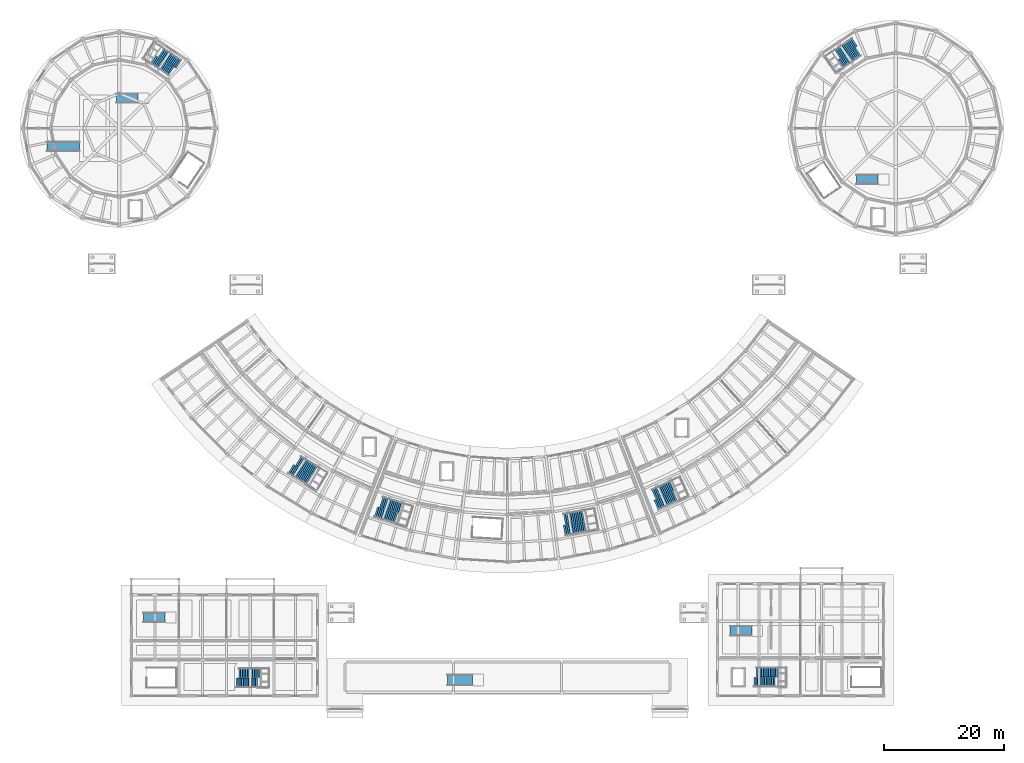
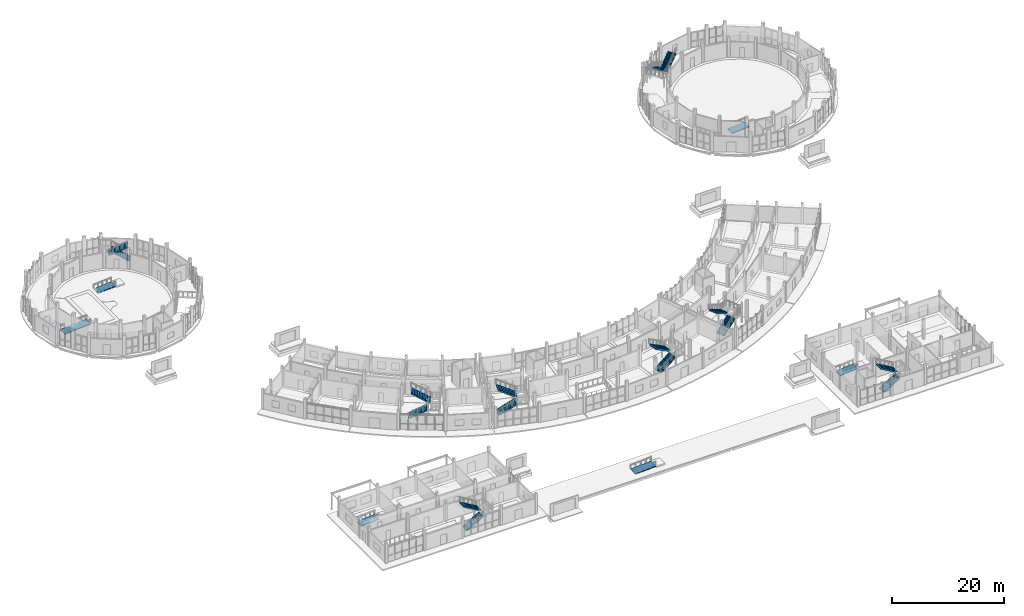
# One storey, part 76 of 92: 16 stair flights, 6 ramp flights, 14 elements without a shape of their own.
"""IFC4 building model written with IfcOpenShell, lengths in metres."""

import ifcopenshell
import ifcopenshell.guid

model = None  # the IFC model being written
_history = None  # IfcOwnerHistory: only IFC2X3 demands one
_inside = {}  # id of a spatial element -> (the spatial element, [elements in it])
_under = {}  # id of a project, library or spatial element -> (it, [spatial elements below it])
_declared = {}  # id of a project -> (the project, [libraries it declares])
_typed = {}  # id of a type object -> (the type object, [elements of that type])
_made_of = {}  # id of a material, layer set ... -> (it, [elements and type objects made of it])


def new_model(schema):
    """Start an empty IFC model of exactly this schema.

    Asked for "IFC4X3", IfcOpenShell would pick the latest addendum, in which some entities
    have other attributes; the version numbers below select the first issue.
    IFC2X3 requires an IfcOwnerHistory on every rooted entity: one is made here for all.
    """
    global model, _history
    if schema == "IFC4X3":
        model = ifcopenshell.file(schema_version=(4, 3, 0, 0))
    else:
        model = ifcopenshell.file(schema=schema)
    _inside.clear()
    _under.clear()
    _declared.clear()
    _typed.clear()
    _made_of.clear()
    _history = None
    if model.schema == "IFC2X3":
        org = make("IfcOrganization", Name="unknown")
        user = make(
            "IfcPersonAndOrganization",
            ThePerson=make("IfcPerson", FamilyName="unknown"),
            TheOrganization=org,
        )
        app = make(
            "IfcApplication",
            ApplicationDeveloper=org,
            Version="unknown",
            ApplicationFullName="unknown",
            ApplicationIdentifier="unknown",
        )
        _history = make(
            "IfcOwnerHistory",
            OwningUser=user,
            OwningApplication=app,
            ChangeAction="ADDED",
            CreationDate=0,
        )
    return model


def make(cls, **values):
    """One entity of the class cls with the attributes given. An attribute that is None is left unset."""
    return model.create_entity(
        cls, **{name: value for name, value in values.items() if value is not None}
    )


def rooted(cls, **values):
    """An entity with a GlobalId (a new one), such as an element, a storey or a relation."""
    return make(cls, GlobalId=ifcopenshell.guid.new(), OwnerHistory=_history, **values)


def si_unit(unit_type, name, prefix=None):
    """IfcSIUnit, for example si_unit("LENGTHUNIT", "METRE", prefix="MILLI")."""
    return make("IfcSIUnit", UnitType=unit_type, Prefix=prefix, Name=name)


def assignment(units):
    """IfcUnitAssignment: the units of a project."""
    return None if units is None else make("IfcUnitAssignment", Units=units)


def point(xyz):
    """IfcCartesianPoint."""
    return None if xyz is None else make("IfcCartesianPoint", Coordinates=xyz)


def direction(xyz):
    """IfcDirection."""
    return None if xyz is None else make("IfcDirection", DirectionRatios=xyz)


def frame(location, z_axis=None, x_axis=None):
    """IfcAxis2Placement3D, a coordinate frame: its origin and axes. An axis left out is left unset."""
    return make(
        "IfcAxis2Placement3D",
        Location=point(location),
        Axis=direction(z_axis),
        RefDirection=direction(x_axis),
    )


def origin():
    """The frame at (0, 0, 0) with its axes left unset."""
    return frame((0.0, 0.0, 0.0))


def place(relative_to, where):
    """IfcLocalPlacement: puts the frame where relative to a parent placement (None: the world)."""
    return make(
        "IfcLocalPlacement", PlacementRelTo=relative_to, RelativePlacement=where
    )


def context(
    kind, dimensions, precision=None, world=None, true_north=None, identifier=None
):
    """IfcGeometricRepresentationContext, for example the 3D "Model" context."""
    return make(
        "IfcGeometricRepresentationContext",
        ContextIdentifier=identifier,
        ContextType=kind,
        CoordinateSpaceDimension=dimensions,
        Precision=precision,
        WorldCoordinateSystem=world,
        TrueNorth=true_north,
    )


def subcontext(parent, identifier, kind, view, scale=None):
    """IfcGeometricRepresentationSubContext, for example "Body" below "Model"."""
    return make(
        "IfcGeometricRepresentationSubContext",
        ContextIdentifier=identifier,
        ContextType=kind,
        ParentContext=parent,
        TargetScale=scale,
        TargetView=view,
    )


def project(units=None, contexts=None):
    """IfcProject with its units and contexts."""
    return rooted(
        "IfcProject",
        Name="project",
        RepresentationContexts=contexts,
        UnitsInContext=assignment(units),
    )


def spatial(cls, under=None, at=None, **own):
    """A site, building, storey or space (cls), placed at a placement, below another one or the project."""
    s = rooted(cls, ObjectPlacement=at, **own)
    if under is not None:
        _under.setdefault(under.id(), (under, []))[1].append(s)
    return s


def polyline(points):
    """IfcPolyline through the points."""
    return make("IfcPolyline", Points=[point(p) for p in points])


def outline(outer, holes=None, kind="AREA"):
    """IfcArbitraryClosedProfileDef: a profile drawn as a closed curve; with holes, ...WithVoids."""
    if holes is None:
        return make("IfcArbitraryClosedProfileDef", ProfileType=kind, OuterCurve=outer)
    return make(
        "IfcArbitraryProfileDefWithVoids",
        ProfileType=kind,
        OuterCurve=outer,
        InnerCurves=holes,
    )


def extrude(swept, where, along, depth):
    """IfcExtrudedAreaSolid: the profile swept, set in the frame where, extruded along a direction by depth."""
    return make(
        "IfcExtrudedAreaSolid",
        SweptArea=swept,
        Position=where,
        ExtrudedDirection=direction(along),
        Depth=depth,
    )


def shape(context_of_items, identifier, shape_type, items):
    """IfcShapeRepresentation: the items that make up one representation, for example the "Body"."""
    return make(
        "IfcShapeRepresentation",
        ContextOfItems=context_of_items,
        RepresentationIdentifier=identifier,
        RepresentationType=shape_type,
        Items=items,
    )


def material(Name=None, Category=None):
    """IfcMaterial."""
    return make("IfcMaterial", Name=Name, Category=Category)


def layer(
    of_material, thickness, ventilated=None, Name=None, Category=None, Priority=None
):
    """IfcMaterialLayer: one layer of a wall or slab, of a material (None: an air gap)."""
    return make(
        "IfcMaterialLayer",
        Material=of_material,
        LayerThickness=thickness,
        IsVentilated=ventilated,
        Name=Name,
        Category=Category,
        Priority=Priority,
    )


def layer_set(layers, Name=None):
    """IfcMaterialLayerSet."""
    return make("IfcMaterialLayerSet", MaterialLayers=layers, LayerSetName=Name)


def made_of(thing, what):
    """Note that an element or type object is made of a material, layer set ...; save() writes the relation."""
    if what is not None:
        _made_of.setdefault(what.id(), (what, []))[1].append(thing)
    return thing


def type_object(cls, material=None, **own):
    """A type object (cls), such as IfcWallType, which elements share."""
    return made_of(rooted(cls, **own), material)


def element(
    cls,
    number,
    at=None,
    inside=None,
    cuts=None,
    type_object=None,
    material=None,
    context=None,
    identifier="Body",
    shape_type=None,
    held_by="IfcProductDefinitionShape",
    body=None,
    shapes=None,
    **own,
):
    """One element of the class cls, such as IfcWall. Its Tag is "e" and its number.

    at: its placement. inside: the storey or other place that contains it. cuts: it is an
    opening in that element (IfcRelVoidsElement). A single representation is given by context,
    identifier, shape_type and body (its items); several are given by shapes. held_by: the class
    of the entity that holds the representations. save() writes the other relations.
    """
    e = rooted(cls, Tag="e%d" % number, ObjectPlacement=at, **own)
    if body is not None:
        shapes = [shape(context, identifier, shape_type, body)]
    if shapes is not None:
        e.Representation = make(held_by, Representations=shapes)
    if inside is not None:
        _inside.setdefault(inside.id(), (inside, []))[1].append(e)
    if cuts is not None:
        rooted(
            "IfcRelVoidsElement", RelatingBuildingElement=cuts, RelatedOpeningElement=e
        )
    if type_object is not None:
        _typed.setdefault(type_object.id(), (type_object, []))[1].append(e)
    return made_of(e, material)


def aggregate(whole, parts):
    """IfcRelAggregates: a whole, such as a stair, and the parts it consists of."""
    return rooted("IfcRelAggregates", RelatingObject=whole, RelatedObjects=parts)


def save(model, path):
    """Write the relations noted so far, then the file.

    IfcRelAggregates (storeys below a building ...), IfcRelContainedInSpatialStructure (elements
    in a storey), IfcRelDefinesByType, IfcRelAssociatesMaterial and IfcRelDeclares: one each for
    every whole, place, type object, material and project.
    """
    for whole, parts in _under.values():
        aggregate(whole, parts)
    for where, things in _inside.values():
        rooted(
            "IfcRelContainedInSpatialStructure",
            RelatedElements=things,
            RelatingStructure=where,
        )
    for kind, things in _typed.values():
        rooted("IfcRelDefinesByType", RelatedObjects=things, RelatingType=kind)
    for what, things in _made_of.values():
        rooted("IfcRelAssociatesMaterial", RelatedObjects=things, RelatingMaterial=what)
    for by, libraries in _declared.values():
        rooted("IfcRelDeclares", RelatingContext=by, RelatedDefinitions=libraries)
    model.write(path)


model = new_model("IFC4")

# Units and contexts
model_context = context("Model", 3, precision=1e-05, world=origin(), true_north=direction((0.0, 1.0)))
body_context = subcontext(model_context, "Body", "Model", "MODEL_VIEW")
ifc_project = project(units=[si_unit("LENGTHUNIT", "METRE"), si_unit("AREAUNIT", "SQUARE_METRE"), si_unit("VOLUMEUNIT", "CUBIC_METRE"), si_unit("PLANEANGLEUNIT", "RADIAN"), si_unit("MASSUNIT", "GRAM", prefix="KILO")], contexts=[model_context])

# Site, building, storey
site_placement = place(None, origin())
site = spatial("IfcSite", under=ifc_project, at=site_placement, CompositionType="ELEMENT")
building_placement = place(site_placement, origin())
building = spatial("IfcBuilding", under=site, at=building_placement, Name="Caldaven Crescent School", CompositionType="ELEMENT")
storey_placement = place(building_placement, origin())
storey = spatial("IfcBuildingStorey", under=building, at=storey_placement, Name="L00", CompositionType="ELEMENT", Elevation=0.0)

# Stair, stair flights
ifc_material_1 = material(Name="Precast concrete C30/37", Category="concrete")
stair_type_1 = type_object("IfcStairType", Name="STR-S3", PredefinedType="TWO_STRAIGHT_RUN_STAIR", material=ifc_material_1)
stair_1_placement = place(storey_placement, origin())
stair_1 = element("IfcStair", 1, at=stair_1_placement, inside=storey, type_object=stair_type_1, Name="STAIR-STV3-L00", PredefinedType="TWO_STRAIGHT_RUN_STAIR")
stair_flight_type_1 = type_object("IfcStairFlightType", Name="STF-F3", PredefinedType="STRAIGHT", material=ifc_material_1)
stair_flight_1_placement = place(storey_placement, frame((128.969970703125, 6.47509765625, 0.0), z_axis=(0.0, 0.0, 1.0), x_axis=(1.0, 0.0, 0.0)))
stair_flight_1 = element("IfcStairFlight", 2, at=stair_flight_1_placement, type_object=stair_flight_type_1, Name="STV3-L00 flight 1", NumberOfRisers=13, NumberOfTreads=12, PredefinedType="STRAIGHT", RiserHeight=0.17, TreadLength=0.29, context=body_context, shape_type="SweptSolid", body=[
    extrude(outline(polyline([(0.0, 0.0), (0.0, 0.169921875), (0.2900390625, 0.169921875), (0.2900390625, 0.340087890625), (0.580078125, 0.340087890625), (0.580078125, 0.510009765625), (0.8701171875, 0.510009765625), (0.8701171875, 0.679931640625), (1.159912109375, 0.679931640625), (1.159912109375, 0.85009765625), (1.449951171875, 0.85009765625), (1.449951171875, 1.02001953125), (1.739990234375, 1.02001953125), (1.739990234375, 1.18994140625), (2.030029296875, 1.18994140625), (2.030029296875, 1.360107421875), (2.320068359375, 1.360107421875), (2.320068359375, 1.530029296875), (2.610107421875, 1.530029296875), (2.610107421875, 1.699951171875), (2.89990234375, 1.699951171875), (2.89990234375, 1.8701171875), (3.18994140625, 1.8701171875), (3.18994140625, 2.0400390625), (3.47998046875, 2.0400390625), (3.47998046875, 2.2099609375), (3.47998046875, 1.7802734375), (0.443115234375, 0.0), (0.0, 0.0)])), frame((0.0, 0.77490234375, 0.0), z_axis=(0.0, -1.0, 0.0), x_axis=(1.0, 0.0, 0.0)), (0.0, 0.0, 1.0), 1.550048828125),
])
stair_flight_2_placement = place(storey_placement, frame((132.830078125, 8.125, 2.2099609375), z_axis=(0.0, 0.0, 1.0), x_axis=(-1.0, 0.0, 0.0)))
stair_flight_2 = element("IfcStairFlight", 3, at=stair_flight_2_placement, type_object=stair_flight_type_1, Name="STV3-L00 flight 2", NumberOfRisers=13, NumberOfTreads=12, PredefinedType="STRAIGHT", RiserHeight=0.17, TreadLength=0.29, context=body_context, shape_type="SweptSolid", body=[
    extrude(outline(polyline([(0.0, 0.0), (0.0, 0.169921875), (0.2900390625, 0.169921875), (0.2900390625, 0.340087890625), (0.580078125, 0.340087890625), (0.580078125, 0.510009765625), (0.8701171875, 0.510009765625), (0.8701171875, 0.679931640625), (1.159912109375, 0.679931640625), (1.159912109375, 0.85009765625), (1.449951171875, 0.85009765625), (1.449951171875, 1.02001953125), (1.739990234375, 1.02001953125), (1.739990234375, 1.18994140625), (2.030029296875, 1.18994140625), (2.030029296875, 1.360107421875), (2.320068359375, 1.360107421875), (2.320068359375, 1.530029296875), (2.610107421875, 1.530029296875), (2.610107421875, 1.699951171875), (2.89990234375, 1.699951171875), (2.89990234375, 1.8701171875), (3.18994140625, 1.8701171875), (3.18994140625, 2.0400390625), (3.47998046875, 2.0400390625), (3.47998046875, 2.2099609375), (3.47998046875, 1.7802734375), (0.443115234375, 0.0), (0.0, 0.0)])), frame((0.0, 0.77490234375, 0.0), z_axis=(0.0, -1.0, 0.0), x_axis=(1.0, 0.0, 0.0)), (0.0, 0.0, 1.0), 1.550048828125),
])
aggregate(stair_1, [stair_flight_1, stair_flight_2])

stair_2_placement = place(storey_placement, origin())
stair_2 = element("IfcStair", 4, at=stair_2_placement, inside=storey, type_object=stair_type_1, Name="STAIR-STV4S-L00", PredefinedType="TWO_STRAIGHT_RUN_STAIR")
stair_flight_3_placement = place(storey_placement, frame((42.969970703125, 6.375, 0.0), z_axis=(0.0, 0.0, 1.0), x_axis=(1.0, 0.0, 0.0)))
stair_flight_3 = element("IfcStairFlight", 5, at=stair_flight_3_placement, type_object=stair_flight_type_1, Name="STV4S-L00 flight 1", NumberOfRisers=13, NumberOfTreads=12, PredefinedType="STRAIGHT", RiserHeight=0.17, TreadLength=0.29, context=body_context, shape_type="SweptSolid", body=[
    extrude(outline(polyline([(0.0, 0.0), (0.0, 0.169921875), (0.2900390625, 0.169921875), (0.2900390625, 0.340087890625), (0.580078125, 0.340087890625), (0.580078125, 0.510009765625), (0.8701171875, 0.510009765625), (0.8701171875, 0.679931640625), (1.159912109375, 0.679931640625), (1.159912109375, 0.85009765625), (1.449951171875, 0.85009765625), (1.449951171875, 1.02001953125), (1.739990234375, 1.02001953125), (1.739990234375, 1.18994140625), (2.030029296875, 1.18994140625), (2.030029296875, 1.360107421875), (2.320068359375, 1.360107421875), (2.320068359375, 1.530029296875), (2.610107421875, 1.530029296875), (2.610107421875, 1.699951171875), (2.89990234375, 1.699951171875), (2.89990234375, 1.8701171875), (3.18994140625, 1.8701171875), (3.18994140625, 2.0400390625), (3.47998046875, 2.0400390625), (3.47998046875, 2.2099609375), (3.47998046875, 1.7802734375), (0.443115234375, 0.0), (0.0, 0.0)])), frame((0.0, 0.77490234375, 0.0), z_axis=(0.0, -1.0, 0.0), x_axis=(1.0, 0.0, 0.0)), (0.0, 0.0, 1.0), 1.550048828125),
])
stair_flight_4_placement = place(storey_placement, frame((46.830078125, 8.02490234375, 2.2099609375), z_axis=(0.0, 0.0, 1.0), x_axis=(-1.0, 0.0, 0.0)))
stair_flight_4 = element("IfcStairFlight", 6, at=stair_flight_4_placement, type_object=stair_flight_type_1, Name="STV4S-L00 flight 2", NumberOfRisers=13, NumberOfTreads=12, PredefinedType="STRAIGHT", RiserHeight=0.17, TreadLength=0.29, context=body_context, shape_type="SweptSolid", body=[
    extrude(outline(polyline([(0.0, 0.0), (0.0, 0.169921875), (0.2900390625, 0.169921875), (0.2900390625, 0.340087890625), (0.580078125, 0.340087890625), (0.580078125, 0.510009765625), (0.8701171875, 0.510009765625), (0.8701171875, 0.679931640625), (1.159912109375, 0.679931640625), (1.159912109375, 0.85009765625), (1.449951171875, 0.85009765625), (1.449951171875, 1.02001953125), (1.739990234375, 1.02001953125), (1.739990234375, 1.18994140625), (2.030029296875, 1.18994140625), (2.030029296875, 1.360107421875), (2.320068359375, 1.360107421875), (2.320068359375, 1.530029296875), (2.610107421875, 1.530029296875), (2.610107421875, 1.699951171875), (2.89990234375, 1.699951171875), (2.89990234375, 1.8701171875), (3.18994140625, 1.8701171875), (3.18994140625, 2.0400390625), (3.47998046875, 2.0400390625), (3.47998046875, 2.2099609375), (3.47998046875, 1.7802734375), (0.443115234375, 0.0), (0.0, 0.0)])), frame((0.0, 0.77490234375, 0.0), z_axis=(0.0, -1.0, 0.0), x_axis=(1.0, 0.0, 0.0)), (0.0, 0.0, 1.0), 1.550048828125),
])
aggregate(stair_2, [stair_flight_3, stair_flight_4])

stair_type_2 = type_object("IfcStairType", Name="STR-S4", PredefinedType="TWO_STRAIGHT_RUN_STAIR", material=ifc_material_1)
stair_3_placement = place(storey_placement, origin())
stair_3 = element("IfcStair", 7, at=stair_3_placement, inside=storey, type_object=stair_type_2, Name="STAIR-STV1-L00", PredefinedType="TWO_STRAIGHT_RUN_STAIR")
stair_flight_type_2 = type_object("IfcStairFlightType", Name="STF-F4", PredefinedType="STRAIGHT", material=ifc_material_1)
stair_flight_5_placement = place(storey_placement, frame((145.67333984375, 112.82080078125, 0.0), z_axis=(0.0, 0.0, 1.0), x_axis=(-0.831469612303, -0.55557023302, 0.0)))
stair_flight_5 = element("IfcStairFlight", 8, at=stair_flight_5_placement, type_object=stair_flight_type_2, Name="STV1-L00 flight 1", NumberOfRisers=13, NumberOfTreads=12, PredefinedType="STRAIGHT", RiserHeight=0.17, TreadLength=0.29, context=body_context, shape_type="SweptSolid", body=[
    extrude(outline(polyline([(0.0, 0.0), (0.0, 0.169921875), (0.2900390625, 0.169921875), (0.2900390625, 0.340087890625), (0.580078125, 0.340087890625), (0.580078125, 0.510009765625), (0.8701171875, 0.510009765625), (0.8701171875, 0.679931640625), (1.159912109375, 0.679931640625), (1.159912109375, 0.85009765625), (1.449951171875, 0.85009765625), (1.449951171875, 1.02001953125), (1.739990234375, 1.02001953125), (1.739990234375, 1.18994140625), (2.030029296875, 1.18994140625), (2.030029296875, 1.360107421875), (2.320068359375, 1.360107421875), (2.320068359375, 1.530029296875), (2.610107421875, 1.530029296875), (2.610107421875, 1.699951171875), (2.89990234375, 1.699951171875), (2.89990234375, 1.8701171875), (3.18994140625, 1.8701171875), (3.18994140625, 2.0400390625), (3.47998046875, 2.0400390625), (3.47998046875, 2.2099609375), (3.47998046875, 1.771240234375), (0.458740234375, 0.0), (0.0, 0.0)])), frame((0.0, 0.800048828125, 0.0), z_axis=(0.0, -1.0, 0.0), x_axis=(1.0, 0.0, 0.0)), (0.0, 0.0, 1.0), 1.60009765625),
])
stair_flight_6_placement = place(storey_placement, frame((143.408203125, 109.2626953125, 2.2099609375), z_axis=(0.0, 0.0, 1.0), x_axis=(0.831469612303, 0.55557023302, 0.0)))
stair_flight_6 = element("IfcStairFlight", 9, at=stair_flight_6_placement, type_object=stair_flight_type_2, Name="STV1-L00 flight 2", NumberOfRisers=13, NumberOfTreads=12, PredefinedType="STRAIGHT", RiserHeight=0.17, TreadLength=0.29, context=body_context, shape_type="SweptSolid", body=[
    extrude(outline(polyline([(0.0, 0.0), (0.0, 0.169921875), (0.2900390625, 0.169921875), (0.2900390625, 0.340087890625), (0.580078125, 0.340087890625), (0.580078125, 0.510009765625), (0.8701171875, 0.510009765625), (0.8701171875, 0.679931640625), (1.159912109375, 0.679931640625), (1.159912109375, 0.85009765625), (1.449951171875, 0.85009765625), (1.449951171875, 1.02001953125), (1.739990234375, 1.02001953125), (1.739990234375, 1.18994140625), (2.030029296875, 1.18994140625), (2.030029296875, 1.360107421875), (2.320068359375, 1.360107421875), (2.320068359375, 1.530029296875), (2.610107421875, 1.530029296875), (2.610107421875, 1.699951171875), (2.89990234375, 1.699951171875), (2.89990234375, 1.8701171875), (3.18994140625, 1.8701171875), (3.18994140625, 2.0400390625), (3.47998046875, 2.0400390625), (3.47998046875, 2.2099609375), (3.47998046875, 1.771240234375), (0.458740234375, 0.0), (0.0, 0.0)])), frame((0.0, 0.800048828125, 0.0), z_axis=(0.0, -1.0, 0.0), x_axis=(1.0, 0.0, 0.0)), (0.0, 0.0, 1.0), 1.60009765625),
])
aggregate(stair_3, [stair_flight_5, stair_flight_6])

stair_4_placement = place(storey_placement, origin())
stair_4 = element("IfcStair", 10, at=stair_4_placement, inside=storey, type_object=stair_type_2, Name="STAIR-STV2-L00", PredefinedType="TWO_STRAIGHT_RUN_STAIR")
stair_flight_7_placement = place(storey_placement, frame((33.3681640625, 109.164794921875, 0.0), z_axis=(0.0, 0.0, 1.0), x_axis=(-0.831469612303, 0.55557023302, 0.0)))
stair_flight_7 = element("IfcStairFlight", 11, at=stair_flight_7_placement, type_object=stair_flight_type_2, Name="STV2-L00 flight 1", NumberOfRisers=13, NumberOfTreads=12, PredefinedType="STRAIGHT", RiserHeight=0.17, TreadLength=0.29, context=body_context, shape_type="SweptSolid", body=[
    extrude(outline(polyline([(0.0, 0.0), (0.0, 0.169921875), (0.2900390625, 0.169921875), (0.2900390625, 0.340087890625), (0.580078125, 0.340087890625), (0.580078125, 0.510009765625), (0.8701171875, 0.510009765625), (0.8701171875, 0.679931640625), (1.159912109375, 0.679931640625), (1.159912109375, 0.85009765625), (1.449951171875, 0.85009765625), (1.449951171875, 1.02001953125), (1.739990234375, 1.02001953125), (1.739990234375, 1.18994140625), (2.030029296875, 1.18994140625), (2.030029296875, 1.360107421875), (2.320068359375, 1.360107421875), (2.320068359375, 1.530029296875), (2.610107421875, 1.530029296875), (2.610107421875, 1.699951171875), (2.89990234375, 1.699951171875), (2.89990234375, 1.8701171875), (3.18994140625, 1.8701171875), (3.18994140625, 2.0400390625), (3.47998046875, 2.0400390625), (3.47998046875, 2.2099609375), (3.47998046875, 1.771240234375), (0.458740234375, 0.0), (0.0, 0.0)])), frame((0.0, 0.800048828125, 0.0), z_axis=(0.0, -1.0, 0.0), x_axis=(1.0, 0.0, 0.0)), (0.0, 0.0, 1.0), 1.60009765625),
])
stair_flight_8_placement = place(storey_placement, frame((29.21435546875, 109.89599609375, 2.2099609375), z_axis=(0.0, 0.0, 1.0), x_axis=(0.831469612303, -0.55557023302, 0.0)))
stair_flight_8 = element("IfcStairFlight", 12, at=stair_flight_8_placement, type_object=stair_flight_type_2, Name="STV2-L00 flight 2", NumberOfRisers=13, NumberOfTreads=12, PredefinedType="STRAIGHT", RiserHeight=0.17, TreadLength=0.29, context=body_context, shape_type="SweptSolid", body=[
    extrude(outline(polyline([(0.0, 0.0), (0.0, 0.169921875), (0.2900390625, 0.169921875), (0.2900390625, 0.340087890625), (0.580078125, 0.340087890625), (0.580078125, 0.510009765625), (0.8701171875, 0.510009765625), (0.8701171875, 0.679931640625), (1.159912109375, 0.679931640625), (1.159912109375, 0.85009765625), (1.449951171875, 0.85009765625), (1.449951171875, 1.02001953125), (1.739990234375, 1.02001953125), (1.739990234375, 1.18994140625), (2.030029296875, 1.18994140625), (2.030029296875, 1.360107421875), (2.320068359375, 1.360107421875), (2.320068359375, 1.530029296875), (2.610107421875, 1.530029296875), (2.610107421875, 1.699951171875), (2.89990234375, 1.699951171875), (2.89990234375, 1.8701171875), (3.18994140625, 1.8701171875), (3.18994140625, 2.0400390625), (3.47998046875, 2.0400390625), (3.47998046875, 2.2099609375), (3.47998046875, 1.771240234375), (0.458740234375, 0.0), (0.0, 0.0)])), frame((0.0, 0.800048828125, 0.0), z_axis=(0.0, -1.0, 0.0), x_axis=(1.0, 0.0, 0.0)), (0.0, 0.0, 1.0), 1.60009765625),
])
aggregate(stair_4, [stair_flight_7, stair_flight_8])

stair_type_3 = type_object("IfcStairType", Name="STR-S5", PredefinedType="TWO_STRAIGHT_RUN_STAIR", material=ifc_material_1)
stair_5_placement = place(storey_placement, origin())
stair_5 = element("IfcStair", 13, at=stair_5_placement, inside=storey, type_object=stair_type_3, Name="STAIR-ST1-L00", PredefinedType="TWO_STRAIGHT_RUN_STAIR")
stair_flight_type_3 = type_object("IfcStairFlightType", Name="STF-F5", PredefinedType="STRAIGHT", material=ifc_material_1)
stair_flight_9_placement = place(storey_placement, frame((51.99365234375, 41.9130859375, 0.0), z_axis=(0.0, 0.0, 1.0), x_axis=(0.852640164354, -0.522498564716, 0.0)))
stair_flight_9 = element("IfcStairFlight", 14, at=stair_flight_9_placement, type_object=stair_flight_type_3, Name="ST1-L00 flight 1", NumberOfRisers=13, NumberOfTreads=12, PredefinedType="STRAIGHT", RiserHeight=0.17, TreadLength=0.29, context=body_context, shape_type="SweptSolid", body=[
    extrude(outline(polyline([(0.0, 0.0), (0.0, 0.169921875), (0.2900390625, 0.169921875), (0.2900390625, 0.340087890625), (0.580078125, 0.340087890625), (0.580078125, 0.510009765625), (0.8701171875, 0.510009765625), (0.8701171875, 0.679931640625), (1.159912109375, 0.679931640625), (1.159912109375, 0.85009765625), (1.449951171875, 0.85009765625), (1.449951171875, 1.02001953125), (1.739990234375, 1.02001953125), (1.739990234375, 1.18994140625), (2.030029296875, 1.18994140625), (2.030029296875, 1.360107421875), (2.320068359375, 1.360107421875), (2.320068359375, 1.530029296875), (2.610107421875, 1.530029296875), (2.610107421875, 1.699951171875), (2.89990234375, 1.699951171875), (2.89990234375, 1.8701171875), (3.18994140625, 1.8701171875), (3.18994140625, 2.0400390625), (3.47998046875, 2.0400390625), (3.47998046875, 2.2099609375), (3.47998046875, 1.76171875), (0.474609375, 0.0), (0.0, 0.0)])), frame((0.0, 0.85986328125, 0.0), z_axis=(0.0, -1.0, 0.0), x_axis=(1.0, 0.0, 0.0)), (0.0, 0.0, 1.0), 1.719970703125),
])
stair_flight_10_placement = place(storey_placement, frame((56.23583984375, 41.447998046875, 2.2099609375), z_axis=(0.0, 0.0, 1.0), x_axis=(-0.852640164354, 0.522498564716, 0.0)))
stair_flight_10 = element("IfcStairFlight", 15, at=stair_flight_10_placement, type_object=stair_flight_type_3, Name="ST1-L00 flight 2", NumberOfRisers=13, NumberOfTreads=12, PredefinedType="STRAIGHT", RiserHeight=0.17, TreadLength=0.29, context=body_context, shape_type="SweptSolid", body=[
    extrude(outline(polyline([(0.0, 0.0), (0.0, 0.169921875), (0.2900390625, 0.169921875), (0.2900390625, 0.340087890625), (0.580078125, 0.340087890625), (0.580078125, 0.510009765625), (0.8701171875, 0.510009765625), (0.8701171875, 0.679931640625), (1.159912109375, 0.679931640625), (1.159912109375, 0.85009765625), (1.449951171875, 0.85009765625), (1.449951171875, 1.02001953125), (1.739990234375, 1.02001953125), (1.739990234375, 1.18994140625), (2.030029296875, 1.18994140625), (2.030029296875, 1.360107421875), (2.320068359375, 1.360107421875), (2.320068359375, 1.530029296875), (2.610107421875, 1.530029296875), (2.610107421875, 1.699951171875), (2.89990234375, 1.699951171875), (2.89990234375, 1.8701171875), (3.18994140625, 1.8701171875), (3.18994140625, 2.0400390625), (3.47998046875, 2.0400390625), (3.47998046875, 2.2099609375), (3.47998046875, 1.76171875), (0.474609375, 0.0), (0.0, 0.0)])), frame((0.0, 0.85986328125, 0.0), z_axis=(0.0, -1.0, 0.0), x_axis=(1.0, 0.0, 0.0)), (0.0, 0.0, 1.0), 1.719970703125),
])
aggregate(stair_5, [stair_flight_9, stair_flight_10])

stair_6_placement = place(storey_placement, origin())
stair_6 = element("IfcStair", 16, at=stair_6_placement, inside=storey, type_object=stair_type_3, Name="STAIR-ST4-L00", PredefinedType="TWO_STRAIGHT_RUN_STAIR")
stair_flight_11_placement = place(storey_placement, frame((112.705810546875, 35.904296875, 0.0), z_axis=(0.0, 0.0, 1.0), x_axis=(0.909961270877, 0.414693242656, 0.0)))
stair_flight_11 = element("IfcStairFlight", 17, at=stair_flight_11_placement, type_object=stair_flight_type_3, Name="ST4-L00 flight 1", NumberOfRisers=13, NumberOfTreads=12, PredefinedType="STRAIGHT", RiserHeight=0.17, TreadLength=0.29, context=body_context, shape_type="SweptSolid", body=[
    extrude(outline(polyline([(0.0, 0.0), (0.0, 0.169921875), (0.2900390625, 0.169921875), (0.2900390625, 0.340087890625), (0.580078125, 0.340087890625), (0.580078125, 0.510009765625), (0.8701171875, 0.510009765625), (0.8701171875, 0.679931640625), (1.159912109375, 0.679931640625), (1.159912109375, 0.85009765625), (1.449951171875, 0.85009765625), (1.449951171875, 1.02001953125), (1.739990234375, 1.02001953125), (1.739990234375, 1.18994140625), (2.030029296875, 1.18994140625), (2.030029296875, 1.360107421875), (2.320068359375, 1.360107421875), (2.320068359375, 1.530029296875), (2.610107421875, 1.530029296875), (2.610107421875, 1.699951171875), (2.89990234375, 1.699951171875), (2.89990234375, 1.8701171875), (3.18994140625, 1.8701171875), (3.18994140625, 2.0400390625), (3.47998046875, 2.0400390625), (3.47998046875, 2.2099609375), (3.47998046875, 1.76171875), (0.474609375, 0.0), (0.0, 0.0)])), frame((0.0, 0.85986328125, 0.0), z_axis=(0.0, -1.0, 0.0), x_axis=(1.0, 0.0, 0.0)), (0.0, 0.0, 1.0), 1.719970703125),
])
stair_flight_12_placement = place(storey_placement, frame((115.46337890625, 39.1611328125, 2.2099609375), z_axis=(0.0, 0.0, 1.0), x_axis=(-0.909961270877, -0.414693242656, 0.0)))
stair_flight_12 = element("IfcStairFlight", 18, at=stair_flight_12_placement, type_object=stair_flight_type_3, Name="ST4-L00 flight 2", NumberOfRisers=13, NumberOfTreads=12, PredefinedType="STRAIGHT", RiserHeight=0.17, TreadLength=0.29, context=body_context, shape_type="SweptSolid", body=[
    extrude(outline(polyline([(0.0, 0.0), (0.0, 0.169921875), (0.2900390625, 0.169921875), (0.2900390625, 0.340087890625), (0.580078125, 0.340087890625), (0.580078125, 0.510009765625), (0.8701171875, 0.510009765625), (0.8701171875, 0.679931640625), (1.159912109375, 0.679931640625), (1.159912109375, 0.85009765625), (1.449951171875, 0.85009765625), (1.449951171875, 1.02001953125), (1.739990234375, 1.02001953125), (1.739990234375, 1.18994140625), (2.030029296875, 1.18994140625), (2.030029296875, 1.360107421875), (2.320068359375, 1.360107421875), (2.320068359375, 1.530029296875), (2.610107421875, 1.530029296875), (2.610107421875, 1.699951171875), (2.89990234375, 1.699951171875), (2.89990234375, 1.8701171875), (3.18994140625, 1.8701171875), (3.18994140625, 2.0400390625), (3.47998046875, 2.0400390625), (3.47998046875, 2.2099609375), (3.47998046875, 1.76171875), (0.474609375, 0.0), (0.0, 0.0)])), frame((0.0, 0.85986328125, 0.0), z_axis=(0.0, -1.0, 0.0), x_axis=(1.0, 0.0, 0.0)), (0.0, 0.0, 1.0), 1.719970703125),
])
aggregate(stair_6, [stair_flight_11, stair_flight_12])

stair_type_4 = type_object("IfcStairType", Name="STR-S6", PredefinedType="TWO_STRAIGHT_RUN_STAIR", material=ifc_material_1)
stair_7_placement = place(storey_placement, origin())
stair_7 = element("IfcStair", 19, at=stair_7_placement, inside=storey, type_object=stair_type_4, Name="STAIR-ST2-L00", PredefinedType="TWO_STRAIGHT_RUN_STAIR")
stair_flight_type_4 = type_object("IfcStairFlightType", Name="STF-F6", PredefinedType="STRAIGHT", material=ifc_material_1)
stair_flight_13_placement = place(storey_placement, frame((66.14208984375, 34.789794921875, 0.0), z_axis=(0.0, 0.0, 1.0), x_axis=(0.953716950748, -0.300705799504, 0.0)))
stair_flight_13 = element("IfcStairFlight", 20, at=stair_flight_13_placement, type_object=stair_flight_type_4, Name="ST2-L00 flight 1", NumberOfRisers=13, NumberOfTreads=12, PredefinedType="STRAIGHT", RiserHeight=0.17, TreadLength=0.29, context=body_context, shape_type="SweptSolid", body=[
    extrude(outline(polyline([(0.0, 0.0), (0.0, 0.169921875), (0.2900390625, 0.169921875), (0.2900390625, 0.340087890625), (0.580078125, 0.340087890625), (0.580078125, 0.510009765625), (0.8701171875, 0.510009765625), (0.8701171875, 0.679931640625), (1.159912109375, 0.679931640625), (1.159912109375, 0.85009765625), (1.449951171875, 0.85009765625), (1.449951171875, 1.02001953125), (1.739990234375, 1.02001953125), (1.739990234375, 1.18994140625), (2.030029296875, 1.18994140625), (2.030029296875, 1.360107421875), (2.320068359375, 1.360107421875), (2.320068359375, 1.530029296875), (2.610107421875, 1.530029296875), (2.610107421875, 1.699951171875), (2.89990234375, 1.699951171875), (2.89990234375, 1.8701171875), (3.18994140625, 1.8701171875), (3.18994140625, 2.0400390625), (3.47998046875, 2.0400390625), (3.47998046875, 2.2099609375), (3.47998046875, 1.75244140625), (0.490478515625, 0.0), (0.0, 0.0)])), frame((0.0, 0.8798828125, 0.0), z_axis=(0.0, -1.0, 0.0), x_axis=(1.0, 0.0, 0.0)), (0.0, 0.0, 1.0), 1.760009765625),
])
stair_flight_14_placement = place(storey_placement, frame((70.3828125, 35.403076171875, 2.2099609375), z_axis=(0.0, 0.0, 1.0), x_axis=(-0.953716950748, 0.300705799504, 0.0)))
stair_flight_14 = element("IfcStairFlight", 21, at=stair_flight_14_placement, type_object=stair_flight_type_4, Name="ST2-L00 flight 2", NumberOfRisers=13, NumberOfTreads=12, PredefinedType="STRAIGHT", RiserHeight=0.17, TreadLength=0.29, context=body_context, shape_type="SweptSolid", body=[
    extrude(outline(polyline([(0.0, 0.0), (0.0, 0.169921875), (0.2900390625, 0.169921875), (0.2900390625, 0.340087890625), (0.580078125, 0.340087890625), (0.580078125, 0.510009765625), (0.8701171875, 0.510009765625), (0.8701171875, 0.679931640625), (1.159912109375, 0.679931640625), (1.159912109375, 0.85009765625), (1.449951171875, 0.85009765625), (1.449951171875, 1.02001953125), (1.739990234375, 1.02001953125), (1.739990234375, 1.18994140625), (2.030029296875, 1.18994140625), (2.030029296875, 1.360107421875), (2.320068359375, 1.360107421875), (2.320068359375, 1.530029296875), (2.610107421875, 1.530029296875), (2.610107421875, 1.699951171875), (2.89990234375, 1.699951171875), (2.89990234375, 1.8701171875), (3.18994140625, 1.8701171875), (3.18994140625, 2.0400390625), (3.47998046875, 2.0400390625), (3.47998046875, 2.2099609375), (3.47998046875, 1.75244140625), (0.490478515625, 0.0), (0.0, 0.0)])), frame((0.0, 0.8798828125, 0.0), z_axis=(0.0, -1.0, 0.0), x_axis=(1.0, 0.0, 0.0)), (0.0, 0.0, 1.0), 1.760009765625),
])
aggregate(stair_7, [stair_flight_13, stair_flight_14])

stair_8_placement = place(storey_placement, origin())
stair_8 = element("IfcStair", 22, at=stair_8_placement, inside=storey, type_object=stair_type_4, Name="STAIR-ST3-L00", PredefinedType="TWO_STRAIGHT_RUN_STAIR")
stair_flight_15_placement = place(storey_placement, frame((97.43701171875, 31.69287109375, 0.0), z_axis=(0.0, 0.0, 1.0), x_axis=(0.983254907564, 0.182235525492, 0.0)))
stair_flight_15 = element("IfcStairFlight", 23, at=stair_flight_15_placement, type_object=stair_flight_type_4, Name="ST3-L00 flight 1", NumberOfRisers=13, NumberOfTreads=12, PredefinedType="STRAIGHT", RiserHeight=0.17, TreadLength=0.29, context=body_context, shape_type="SweptSolid", body=[
    extrude(outline(polyline([(0.0, 0.0), (0.0, 0.169921875), (0.2900390625, 0.169921875), (0.2900390625, 0.340087890625), (0.580078125, 0.340087890625), (0.580078125, 0.510009765625), (0.8701171875, 0.510009765625), (0.8701171875, 0.679931640625), (1.159912109375, 0.679931640625), (1.159912109375, 0.85009765625), (1.449951171875, 0.85009765625), (1.449951171875, 1.02001953125), (1.739990234375, 1.02001953125), (1.739990234375, 1.18994140625), (2.030029296875, 1.18994140625), (2.030029296875, 1.360107421875), (2.320068359375, 1.360107421875), (2.320068359375, 1.530029296875), (2.610107421875, 1.530029296875), (2.610107421875, 1.699951171875), (2.89990234375, 1.699951171875), (2.89990234375, 1.8701171875), (3.18994140625, 1.8701171875), (3.18994140625, 2.0400390625), (3.47998046875, 2.0400390625), (3.47998046875, 2.2099609375), (3.47998046875, 1.75244140625), (0.490478515625, 0.0), (0.0, 0.0)])), frame((0.0, 0.8798828125, 0.0), z_axis=(0.0, -1.0, 0.0), x_axis=(1.0, 0.0, 0.0)), (0.0, 0.0, 1.0), 1.760009765625),
])
stair_flight_16_placement = place(storey_placement, frame((100.8935546875, 34.225341796875, 2.2099609375), z_axis=(0.0, 0.0, 1.0), x_axis=(-0.983254907564, -0.182235525492, 0.0)))
stair_flight_16 = element("IfcStairFlight", 24, at=stair_flight_16_placement, type_object=stair_flight_type_4, Name="ST3-L00 flight 2", NumberOfRisers=13, NumberOfTreads=12, PredefinedType="STRAIGHT", RiserHeight=0.17, TreadLength=0.29, context=body_context, shape_type="SweptSolid", body=[
    extrude(outline(polyline([(0.0, 0.0), (0.0, 0.169921875), (0.2900390625, 0.169921875), (0.2900390625, 0.340087890625), (0.580078125, 0.340087890625), (0.580078125, 0.510009765625), (0.8701171875, 0.510009765625), (0.8701171875, 0.679931640625), (1.159912109375, 0.679931640625), (1.159912109375, 0.85009765625), (1.449951171875, 0.85009765625), (1.449951171875, 1.02001953125), (1.739990234375, 1.02001953125), (1.739990234375, 1.18994140625), (2.030029296875, 1.18994140625), (2.030029296875, 1.360107421875), (2.320068359375, 1.360107421875), (2.320068359375, 1.530029296875), (2.610107421875, 1.530029296875), (2.610107421875, 1.699951171875), (2.89990234375, 1.699951171875), (2.89990234375, 1.8701171875), (3.18994140625, 1.8701171875), (3.18994140625, 2.0400390625), (3.47998046875, 2.0400390625), (3.47998046875, 2.2099609375), (3.47998046875, 1.75244140625), (0.490478515625, 0.0), (0.0, 0.0)])), frame((0.0, 0.8798828125, 0.0), z_axis=(0.0, -1.0, 0.0), x_axis=(1.0, 0.0, 0.0)), (0.0, 0.0, 1.0), 1.760009765625),
])
aggregate(stair_8, [stair_flight_15, stair_flight_16])

# Ramp, ramp flight
ifc_material_2 = material(Name="Concrete C30/37", Category="concrete")
ramp_type = type_object("IfcRampType", Name="RMP-ACC1", PredefinedType="STRAIGHT_RUN_RAMP", material=ifc_material_2)
ramp_1_placement = place(storey_placement, origin())
ramp_1 = element("IfcRamp", 25, at=ramp_1_placement, inside=storey, type_object=ramp_type, Name="Sports Hall Threshold Universal Ramp", PredefinedType="STRAIGHT_RUN_RAMP")
ifc_layer = layer(ifc_material_2, 0.179931640625)
ifc_layer_set = layer_set([ifc_layer], Name="Concrete C30/37")
ramp_flight_type = type_object("IfcRampFlightType", Name="RMF-ACC1", PredefinedType="STRAIGHT", material=ifc_layer_set)
ramp_flight_1_placement = place(storey_placement, frame((146.0, 89.199951171875, 0.0), z_axis=(-0.077549559716, 0.0, 0.996988498323), x_axis=(0.996988498323, 0.0, 0.077549559716)))
ramp_flight_1 = element("IfcRampFlight", 26, at=ramp_flight_1_placement, type_object=ramp_flight_type, Name="RAMP-RMP1/F1", PredefinedType="STRAIGHT", context=body_context, shape_type="SweptSolid", body=[
    extrude(outline(polyline([(0.0, 0.0), (3.6109721048001813, 0.0), (3.6109721048001813, 1.60009765625), (0.0, 1.60009765625), (0.0, 0.0)])), origin(), (0.0, 0.0, -1.0), 0.179931640625),
])
aggregate(ramp_1, [ramp_flight_1])

ramp_2_placement = place(storey_placement, origin())
ramp_2 = element("IfcRamp", 27, at=ramp_2_placement, inside=storey, type_object=ramp_type, Name="Assembly Foyer Universal Ramp", PredefinedType="STRAIGHT_RUN_RAMP")
ramp_flight_2_placement = place(storey_placement, frame((23.0, 102.699951171875, 0.0), z_axis=(-0.077549559716, 0.0, 0.996988498323), x_axis=(0.996988498323, 0.0, 0.077549559716)))
ramp_flight_2 = element("IfcRampFlight", 28, at=ramp_flight_2_placement, type_object=ramp_flight_type, Name="RAMP-RMP2/F1", PredefinedType="STRAIGHT", context=body_context, shape_type="SweptSolid", body=[
    extrude(outline(polyline([(0.0, 0.0), (3.6109721048001813, 0.0), (3.6109721048001813, 1.60009765625), (0.0, 1.60009765625), (0.0, 0.0)])), origin(), (0.0, 0.0, -1.0), 0.179931640625),
])
aggregate(ramp_2, [ramp_flight_2])

ramp_3_placement = place(storey_placement, origin())
ramp_3 = element("IfcRamp", 29, at=ramp_3_placement, inside=storey, type_object=ramp_type, Name="Assembly Stage Universal Ramp", PredefinedType="STRAIGHT_RUN_RAMP")
ramp_flight_3_placement = place(storey_placement, frame((11.5, 94.699951171875, 0.0), z_axis=(-0.066539969552, 0.0, 0.997783760367), x_axis=(0.997783760367, 0.0, 0.066539969552)))
ramp_flight_3 = element("IfcRampFlight", 30, at=ramp_flight_3_placement, type_object=ramp_flight_type, Name="RAMP-RMP3/F1", PredefinedType="STRAIGHT", context=body_context, shape_type="SweptSolid", body=[
    extrude(outline(polyline([(0.0, 0.0), (5.411896403048214, 0.0), (5.411896403048214, 1.60009765625), (0.0, 1.60009765625), (0.0, 0.0)])), origin(), (0.0, 0.0, -1.0), 0.179931640625),
])
aggregate(ramp_3, [ramp_flight_3])

ramp_4_placement = place(storey_placement, origin())
ramp_4 = element("IfcRamp", 31, at=ramp_4_placement, inside=storey, type_object=ramp_type, Name="Dining Servery Universal Ramp", PredefinedType="STRAIGHT_RUN_RAMP")
ramp_flight_4_placement = place(storey_placement, frame((125.0, 14.199951171875, 0.0), z_axis=(-0.077549559716, 0.0, 0.996988498323), x_axis=(0.996988498323, 0.0, 0.077549559716)))
ramp_flight_4 = element("IfcRampFlight", 32, at=ramp_flight_4_placement, type_object=ramp_flight_type, Name="RAMP-RMP4/F1", PredefinedType="STRAIGHT", context=body_context, shape_type="SweptSolid", body=[
    extrude(outline(polyline([(0.0, 0.0), (3.6109721048001813, 0.0), (3.6109721048001813, 1.60009765625), (0.0, 1.60009765625), (0.0, 0.0)])), origin(), (0.0, 0.0, -1.0), 0.179931640625),
])
aggregate(ramp_4, [ramp_flight_4])

ramp_5_placement = place(storey_placement, origin())
ramp_5 = element("IfcRamp", 33, at=ramp_5_placement, inside=storey, type_object=ramp_type, Name="South Cloister Universal Ramp", PredefinedType="STRAIGHT_RUN_RAMP")
ramp_flight_5_placement = place(storey_placement, frame((27.5, 16.39990234375, 0.0), z_axis=(-0.077549559716, 0.0, 0.996988498323), x_axis=(0.996988498323, 0.0, 0.077549559716)))
ramp_flight_5 = element("IfcRampFlight", 34, at=ramp_flight_5_placement, type_object=ramp_flight_type, Name="RAMP-RMP5/F1", PredefinedType="STRAIGHT", context=body_context, shape_type="SweptSolid", body=[
    extrude(outline(polyline([(0.0, 0.0), (3.6109721048001813, 0.0), (3.6109721048001813, 1.60009765625), (0.0, 1.60009765625), (0.0, 0.0)])), origin(), (0.0, 0.0, -1.0), 0.179931640625),
])
aggregate(ramp_5, [ramp_flight_5])

ramp_6_placement = place(storey_placement, origin())
ramp_6 = element("IfcRamp", 35, at=ramp_6_placement, inside=storey, type_object=ramp_type, Name="Drop-Off Loop Universal Ramp", PredefinedType="STRAIGHT_RUN_RAMP")
ramp_flight_6_placement = place(storey_placement, frame((78.0, 5.89990234375, 0.0), z_axis=(-0.066526709719, 0.0, 0.997784644547), x_axis=(0.997784644547, 0.0, 0.066526709719)))
ramp_flight_6 = element("IfcRampFlight", 36, at=ramp_flight_6_placement, type_object=ramp_flight_type, Name="RAMP-RMP6/F1", PredefinedType="STRAIGHT", context=body_context, shape_type="SweptSolid", body=[
    extrude(outline(polyline([(0.0, 0.0), (4.209276214890453, 0.0), (4.209276214890453, 1.800048828125), (0.0, 1.800048828125), (0.0, 0.0)])), origin(), (0.0, 0.0, -1.0), 0.179931640625),
])
aggregate(ramp_6, [ramp_flight_6])

save(model, "model.ifc")
